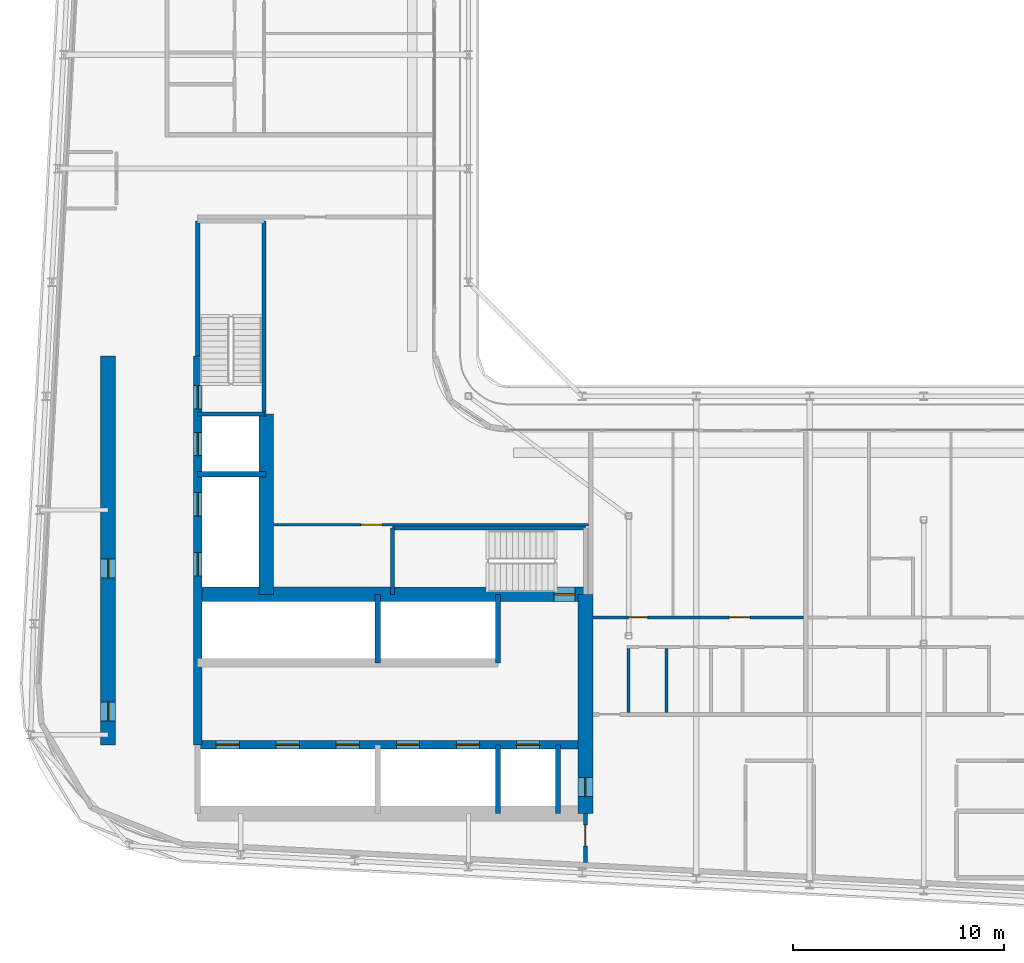
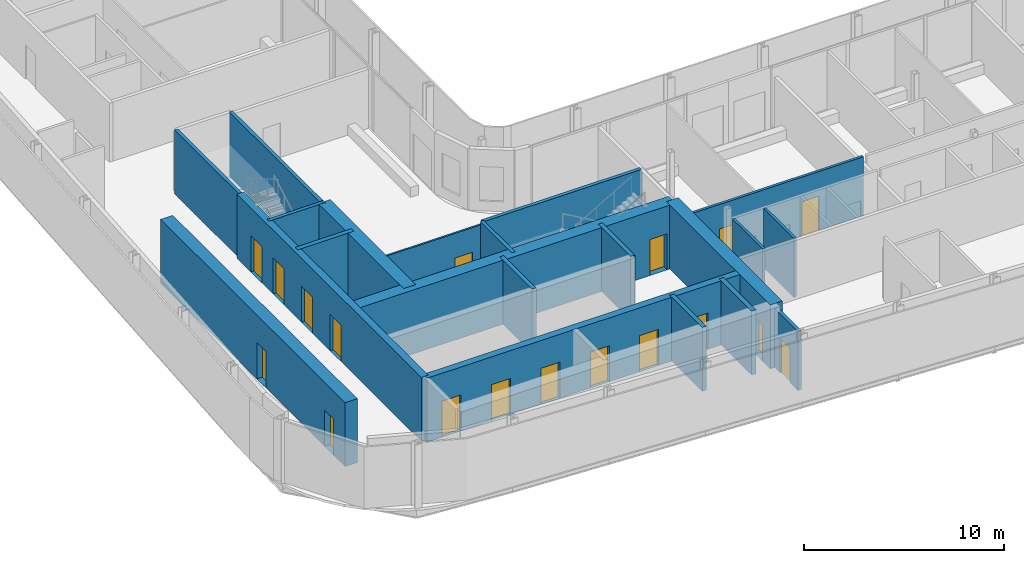
# One storey, part 10 of 22: 22 walls, 18 doors, 18 openings.
"""IFC4 building model written with IfcOpenShell, lengths in metres."""

from ifc_helpers import new_model, si_unit, direction, frame, frame_2d, origin, place, context, subcontext, project, spatial, rectangle, extrude, source, transform, mapped, material, layer, layer_set, type_object, element, fill, save


model = new_model("IFC4")

# Units and contexts
model_context = context("Model", 3, precision=1e-05, world=origin(), true_north=direction((0.0, 1.0)))
body_context = subcontext(model_context, "Body", "Model", "MODEL_VIEW")
ifc_project = project(units=[si_unit("LENGTHUNIT", "METRE"), si_unit("AREAUNIT", "SQUARE_METRE"), si_unit("VOLUMEUNIT", "CUBIC_METRE"), si_unit("PLANEANGLEUNIT", "RADIAN"), si_unit("MASSUNIT", "GRAM", prefix="KILO")], contexts=[model_context])

# Site, building, storey
site_placement = place(None, origin())
site = spatial("IfcSite", under=ifc_project, at=site_placement, CompositionType="ELEMENT")
building_placement = place(site_placement, origin())
building = spatial("IfcBuilding", under=site, at=building_placement, Name="Kheshtan School and Residences Tower", CompositionType="ELEMENT")
storey_placement = place(building_placement, frame((0.0, 0.0, 255.199951171875)))
storey = spatial("IfcBuildingStorey", under=building, at=storey_placement, Name="L60", CompositionType="ELEMENT", Elevation=255.199951171875)

# Wall, openings, doors
ifc_material_1 = material(Name="Concrete C50/60", Category="concrete")
ifc_layer_1 = layer(ifc_material_1, 0.39990234375)
ifc_layer_set_1 = layer_set([ifc_layer_1], Name="Core wall 400 Concrete C50/60")
wall_type_1 = type_object("IfcWallType", Name="Core wall 400 Concrete C50/60", PredefinedType="SHEAR", material=ifc_layer_set_1)
wall_1_placement = place(storey_placement, frame((34.75, 29.050048828125, 0.0), z_axis=(0.0, 0.0, 1.0), x_axis=(1.0, 0.0, 0.0)))
wall_1 = element("IfcWall", 1, at=wall_1_placement, inside=storey, type_object=wall_type_1, Name="Core wall CW-HALL-S1", PredefinedType="SHEAR", context=body_context, shape_type="SweptSolid", body=[
    extrude(rectangle(XDim=18.39990234375, YDim=0.39990234375, at=frame_2d((9.199951171875, 0.0))), origin(), (0.0, 0.0, 1.0), 3.900146484375),
])
opening_1_placement = place(wall_1_placement, frame((0.875, 0.0, 0.0)))
opening_1 = element("IfcOpeningElement", 2, at=opening_1_placement, cuts=wall_1, Name="Opening LD", PredefinedType="OPENING", context=body_context, shape_type="SweptSolid", body=[
    extrude(rectangle(XDim=1.10009765625, YDim=2.199951171875, at=frame_2d((0.550048828125, 1.10009765625))), frame((0.0, 0.2099609375, 0.0), z_axis=(0.0, -1.0, 0.0), x_axis=(1.0, 0.0, 0.0)), (0.0, 0.0, 1.0), 0.419921875),
])
opening_2_placement = place(wall_1_placement, frame((3.72509765625, 0.0, 0.0)))
opening_2 = element("IfcOpeningElement", 3, at=opening_2_placement, cuts=wall_1, Name="Opening LD", PredefinedType="OPENING", context=body_context, shape_type="SweptSolid", body=[
    extrude(rectangle(XDim=1.10009765625, YDim=2.199951171875, at=frame_2d((0.550048828125, 1.10009765625))), frame((0.0, 0.2099609375, 0.0), z_axis=(0.0, -1.0, 0.0), x_axis=(1.0, 0.0, 0.0)), (0.0, 0.0, 1.0), 0.419921875),
])
opening_3_placement = place(wall_1_placement, frame((6.574951171875, 0.0, 0.0)))
opening_3 = element("IfcOpeningElement", 4, at=opening_3_placement, cuts=wall_1, Name="Opening LD", PredefinedType="OPENING", context=body_context, shape_type="SweptSolid", body=[
    extrude(rectangle(XDim=1.10009765625, YDim=2.199951171875, at=frame_2d((0.550048828125, 1.10009765625))), frame((0.0, 0.2099609375, 0.0), z_axis=(0.0, -1.0, 0.0), x_axis=(1.0, 0.0, 0.0)), (0.0, 0.0, 1.0), 0.419921875),
])
opening_4_placement = place(wall_1_placement, frame((9.425048828125, 0.0, 0.0)))
opening_4 = element("IfcOpeningElement", 5, at=opening_4_placement, cuts=wall_1, Name="Opening LD", PredefinedType="OPENING", context=body_context, shape_type="SweptSolid", body=[
    extrude(rectangle(XDim=1.10009765625, YDim=2.199951171875, at=frame_2d((0.550048828125, 1.10009765625))), frame((0.0, 0.2099609375, 0.0), z_axis=(0.0, -1.0, 0.0), x_axis=(1.0, 0.0, 0.0)), (0.0, 0.0, 1.0), 0.419921875),
])
opening_5_placement = place(wall_1_placement, frame((12.27490234375, 0.0, 0.0)))
opening_5 = element("IfcOpeningElement", 6, at=opening_5_placement, cuts=wall_1, Name="Opening LD", PredefinedType="OPENING", context=body_context, shape_type="SweptSolid", body=[
    extrude(rectangle(XDim=1.10009765625, YDim=2.199951171875, at=frame_2d((0.550048828125, 1.10009765625))), frame((0.0, 0.2099609375, 0.0), z_axis=(0.0, -1.0, 0.0), x_axis=(1.0, 0.0, 0.0)), (0.0, 0.0, 1.0), 0.419921875),
])
opening_6_placement = place(wall_1_placement, frame((15.125, 0.0, 0.0)))
opening_6 = element("IfcOpeningElement", 7, at=opening_6_placement, cuts=wall_1, Name="Opening LD", PredefinedType="OPENING", context=body_context, shape_type="SweptSolid", body=[
    extrude(rectangle(XDim=1.10009765625, YDim=2.199951171875, at=frame_2d((0.550048828125, 1.10009765625))), frame((0.0, 0.2099609375, 0.0), z_axis=(0.0, -1.0, 0.0), x_axis=(1.0, 0.0, 0.0)), (0.0, 0.0, 1.0), 0.419921875),
])
ifc_material_2 = material(Name="Stainless steel door leaves", Category="steel")
door_type_1 = type_object("IfcDoorType", Name="Lift landing door 1100", OperationType="SLIDING_TO_LEFT", PredefinedType="DOOR", material=ifc_material_2)
shared_shape_1 = source(origin(), body_context, "Body", "SweptSolid", [
    extrude(rectangle(XDim=1.10009765625, YDim=2.199951171875, at=frame_2d((0.550048828125, 1.10009765625))), frame((0.0, 0.02490234375, 0.0), z_axis=(0.0, -1.0, 0.0), x_axis=(1.0, 0.0, 0.0)), (0.0, 0.0, 1.0), 0.050048828125),
])
door_1_placement = place(opening_1_placement, origin())
door_1 = element("IfcDoor", 8, at=door_1_placement, inside=storey, type_object=door_type_1, Name="Lift P7 landing door", OperationType="SLIDING_TO_LEFT", OverallHeight=2.199951171875, OverallWidth=1.10009765625, PredefinedType="DOOR", context=body_context, shape_type="MappedRepresentation", body=[
    mapped(shared_shape_1, transform((0.0, 0.0, 0.0), x_axis=(1.0, 0.0, 0.0), y_axis=(0.0, 1.0, 0.0), z_axis=(0.0, 0.0, 1.0), scale=1.0)),
])
fill(opening_1, door_1)
door_2_placement = place(opening_2_placement, origin())
door_2 = element("IfcDoor", 9, at=door_2_placement, inside=storey, type_object=door_type_1, Name="Lift P8 landing door", OperationType="SLIDING_TO_LEFT", OverallHeight=2.199951171875, OverallWidth=1.10009765625, PredefinedType="DOOR", context=body_context, shape_type="MappedRepresentation", body=[
    mapped(shared_shape_1, transform((0.0, 0.0, 0.0), x_axis=(1.0, 0.0, 0.0), y_axis=(0.0, 1.0, 0.0), z_axis=(0.0, 0.0, 1.0), scale=1.0)),
])
fill(opening_2, door_2)
door_3_placement = place(opening_3_placement, origin())
door_3 = element("IfcDoor", 10, at=door_3_placement, inside=storey, type_object=door_type_1, Name="Lift P9 landing door", OperationType="SLIDING_TO_LEFT", OverallHeight=2.199951171875, OverallWidth=1.10009765625, PredefinedType="DOOR", context=body_context, shape_type="MappedRepresentation", body=[
    mapped(shared_shape_1, transform((0.0, 0.0, 0.0), x_axis=(1.0, 0.0, 0.0), y_axis=(0.0, 1.0, 0.0), z_axis=(0.0, 0.0, 1.0), scale=1.0)),
])
fill(opening_3, door_3)
door_4_placement = place(opening_4_placement, origin())
door_4 = element("IfcDoor", 11, at=door_4_placement, inside=storey, type_object=door_type_1, Name="Lift P10 landing door", OperationType="SLIDING_TO_LEFT", OverallHeight=2.199951171875, OverallWidth=1.10009765625, PredefinedType="DOOR", context=body_context, shape_type="MappedRepresentation", body=[
    mapped(shared_shape_1, transform((0.0, 0.0, 0.0), x_axis=(1.0, 0.0, 0.0), y_axis=(0.0, 1.0, 0.0), z_axis=(0.0, 0.0, 1.0), scale=1.0)),
])
fill(opening_4, door_4)
door_5_placement = place(opening_5_placement, origin())
door_5 = element("IfcDoor", 12, at=door_5_placement, inside=storey, type_object=door_type_1, Name="Lift P11 landing door", OperationType="SLIDING_TO_LEFT", OverallHeight=2.199951171875, OverallWidth=1.10009765625, PredefinedType="DOOR", context=body_context, shape_type="MappedRepresentation", body=[
    mapped(shared_shape_1, transform((0.0, 0.0, 0.0), x_axis=(1.0, 0.0, 0.0), y_axis=(0.0, 1.0, 0.0), z_axis=(0.0, 0.0, 1.0), scale=1.0)),
])
fill(opening_5, door_5)
door_6_placement = place(opening_6_placement, origin())
door_6 = element("IfcDoor", 13, at=door_6_placement, inside=storey, type_object=door_type_1, Name="Lift FFL2 landing door", OperationType="SLIDING_TO_LEFT", OverallHeight=2.199951171875, OverallWidth=1.10009765625, PredefinedType="DOOR", context=body_context, shape_type="MappedRepresentation", body=[
    mapped(shared_shape_1, transform((0.0, 0.0, 0.0), x_axis=(1.0, 0.0, 0.0), y_axis=(0.0, 1.0, 0.0), z_axis=(0.0, 0.0, 1.0), scale=1.0)),
])
fill(opening_6, door_6)

wall_2_placement = place(storey_placement, frame((34.75, 29.050048828125, 0.0), z_axis=(0.0, 0.0, 1.0), x_axis=(0.0, 1.0, 0.0)))
wall_2 = element("IfcWall", 14, at=wall_2_placement, inside=storey, type_object=wall_type_1, Name="Core wall CW-HALL-W1", PredefinedType="SHEAR", context=body_context, shape_type="SweptSolid", body=[
    extrude(rectangle(XDim=18.449951171875, YDim=0.39990234375, at=frame_2d((9.22509765625, 0.0))), origin(), (0.0, 0.0, 1.0), 3.900146484375),
])
opening_7_placement = place(wall_2_placement, frame((8.02490234375, 0.0, 0.0)))
opening_7 = element("IfcOpeningElement", 15, at=opening_7_placement, cuts=wall_2, Name="Opening LD", PredefinedType="OPENING", context=body_context, shape_type="SweptSolid", body=[
    extrude(rectangle(XDim=1.10009765625, YDim=2.199951171875, at=frame_2d((0.550048828125, 1.10009765625))), frame((0.0, 0.2099609375, 0.0), z_axis=(0.0, -1.0, 0.0), x_axis=(1.0, 0.0, 0.0)), (0.0, 0.0, 1.0), 0.419921875),
])
opening_8_placement = place(wall_2_placement, frame((10.875, 0.0, 0.0)))
opening_8 = element("IfcOpeningElement", 16, at=opening_8_placement, cuts=wall_2, Name="Opening LD", PredefinedType="OPENING", context=body_context, shape_type="SweptSolid", body=[
    extrude(rectangle(XDim=1.10009765625, YDim=2.199951171875, at=frame_2d((0.550048828125, 1.10009765625))), frame((0.0, 0.2099609375, 0.0), z_axis=(0.0, -1.0, 0.0), x_axis=(1.0, 0.0, 0.0)), (0.0, 0.0, 1.0), 0.419921875),
])
opening_9_placement = place(wall_2_placement, frame((13.72509765625, 0.0, 0.0)))
opening_9 = element("IfcOpeningElement", 17, at=opening_9_placement, cuts=wall_2, Name="Opening LD", PredefinedType="OPENING", context=body_context, shape_type="SweptSolid", body=[
    extrude(rectangle(XDim=1.10009765625, YDim=2.199951171875, at=frame_2d((0.550048828125, 1.10009765625))), frame((0.0, 0.2099609375, 0.0), z_axis=(0.0, -1.0, 0.0), x_axis=(1.0, 0.0, 0.0)), (0.0, 0.0, 1.0), 0.419921875),
])
opening_10_placement = place(wall_2_placement, frame((15.949951171875, 0.0, 0.0)))
opening_10 = element("IfcOpeningElement", 18, at=opening_10_placement, cuts=wall_2, Name="Opening ST2D", PredefinedType="OPENING", context=body_context, shape_type="SweptSolid", body=[
    extrude(rectangle(XDim=1.10009765625, YDim=2.199951171875, at=frame_2d((0.550048828125, 1.10009765625))), frame((0.0, 0.2099609375, 0.0), z_axis=(0.0, -1.0, 0.0), x_axis=(1.0, 0.0, 0.0)), (0.0, 0.0, 1.0), 0.419921875),
])
door_7_placement = place(opening_7_placement, origin())
door_7 = element("IfcDoor", 19, at=door_7_placement, inside=storey, type_object=door_type_1, Name="Lift SV1 landing door", OperationType="SLIDING_TO_LEFT", OverallHeight=2.199951171875, OverallWidth=1.10009765625, PredefinedType="DOOR", context=body_context, shape_type="MappedRepresentation", body=[
    mapped(shared_shape_1, transform((0.0, 0.0, 0.0), x_axis=(1.0, 0.0, 0.0), y_axis=(0.0, 1.0, 0.0), z_axis=(0.0, 0.0, 1.0), scale=1.0)),
])
fill(opening_7, door_7)
door_8_placement = place(opening_8_placement, origin())
door_8 = element("IfcDoor", 20, at=door_8_placement, inside=storey, type_object=door_type_1, Name="Lift SV2 landing door", OperationType="SLIDING_TO_LEFT", OverallHeight=2.199951171875, OverallWidth=1.10009765625, PredefinedType="DOOR", context=body_context, shape_type="MappedRepresentation", body=[
    mapped(shared_shape_1, transform((0.0, 0.0, 0.0), x_axis=(1.0, 0.0, 0.0), y_axis=(0.0, 1.0, 0.0), z_axis=(0.0, 0.0, 1.0), scale=1.0)),
])
fill(opening_8, door_8)
door_9_placement = place(opening_9_placement, origin())
door_9 = element("IfcDoor", 21, at=door_9_placement, inside=storey, type_object=door_type_1, Name="Lift FFL1 landing door", OperationType="SLIDING_TO_LEFT", OverallHeight=2.199951171875, OverallWidth=1.10009765625, PredefinedType="DOOR", context=body_context, shape_type="MappedRepresentation", body=[
    mapped(shared_shape_1, transform((0.0, 0.0, 0.0), x_axis=(1.0, 0.0, 0.0), y_axis=(0.0, 1.0, 0.0), z_axis=(0.0, 0.0, 1.0), scale=1.0)),
])
fill(opening_9, door_9)
ifc_material_3 = material(Name="Steel door leaf, galvanised", Category="steel")
door_type_2 = type_object("IfcDoorType", Name="Stair door 1100 steel 90 min", OperationType="SINGLE_SWING_LEFT", PredefinedType="DOOR", material=ifc_material_3)
shared_shape_2 = source(origin(), body_context, "Body", "SweptSolid", [
    extrude(rectangle(XDim=1.10009765625, YDim=2.199951171875, at=frame_2d((0.550048828125, 1.10009765625))), frame((0.0, 0.02490234375, 0.0), z_axis=(0.0, -1.0, 0.0), x_axis=(1.0, 0.0, 0.0)), (0.0, 0.0, 1.0), 0.050048828125),
])
door_10_placement = place(opening_10_placement, origin())
door_10 = element("IfcDoor", 22, at=door_10_placement, inside=storey, type_object=door_type_2, Name="Stair ST2 door", OperationType="SINGLE_SWING_RIGHT", OverallHeight=2.199951171875, OverallWidth=1.10009765625, PredefinedType="DOOR", context=body_context, shape_type="MappedRepresentation", body=[
    mapped(shared_shape_2, transform((0.0, 0.0, 0.0), x_axis=(1.0, 0.0, 0.0), y_axis=(0.0, 1.0, 0.0), z_axis=(0.0, 0.0, 1.0), scale=1.0)),
])
fill(opening_10, door_10)

# Wall, opening, door
ifc_material_4 = material(Name="Concrete C70/85", Category="concrete")
ifc_layer_2 = layer(ifc_material_4, 0.699951171875)
ifc_layer_set_2 = layer_set([ifc_layer_2], Name="Core wall 700 Concrete C70/85")
wall_type_2 = type_object("IfcWallType", Name="Core wall 700 Concrete C70/85", PredefinedType="SHEAR", material=ifc_layer_set_2)
wall_3_placement = place(storey_placement, frame((34.75, 36.199951171875, 0.0), z_axis=(0.0, 0.0, 1.0), x_axis=(1.0, 0.0, 0.0)))
wall_3 = element("IfcWall", 23, at=wall_3_placement, inside=storey, type_object=wall_type_2, Name="Core wall CW-FRONT-S", PredefinedType="SHEAR", context=body_context, shape_type="SweptSolid", body=[
    extrude(rectangle(XDim=18.39990234375, YDim=0.699951171875, at=frame_2d((9.199951171875, 0.0))), origin(), (0.0, 0.0, 1.0), 3.900146484375),
])
opening_11_placement = place(wall_3_placement, frame((16.89990234375, 0.0, 0.0)))
opening_11 = element("IfcOpeningElement", 24, at=opening_11_placement, cuts=wall_3, Name="Opening ST1D", PredefinedType="OPENING", context=body_context, shape_type="SweptSolid", body=[
    extrude(rectangle(XDim=1.0, YDim=2.199951171875, at=frame_2d((0.5, 1.10009765625))), frame((0.0, 0.35986328125, 0.0), z_axis=(0.0, -1.0, 0.0), x_axis=(1.0, 0.0, 0.0)), (0.0, 0.0, 1.0), 0.719970703125),
])
shared_shape_3 = source(origin(), body_context, "Body", "SweptSolid", [
    extrude(rectangle(XDim=1.0, YDim=2.199951171875, at=frame_2d((0.5, 1.10009765625))), frame((0.0, 0.02490234375, 0.0), z_axis=(0.0, -1.0, 0.0), x_axis=(1.0, 0.0, 0.0)), (0.0, 0.0, 1.0), 0.050048828125),
])
door_11_placement = place(opening_11_placement, origin())
door_11 = element("IfcDoor", 25, at=door_11_placement, inside=storey, type_object=door_type_2, Name="Stair ST1 door", OperationType="SINGLE_SWING_RIGHT", OverallHeight=2.199951171875, OverallWidth=1.0, PredefinedType="DOOR", context=body_context, shape_type="MappedRepresentation", body=[
    mapped(shared_shape_3, transform((0.0, 0.0, 0.0), x_axis=(1.0, 0.0, 0.0), y_axis=(0.0, 1.0, 0.0), z_axis=(0.0, 0.0, 1.0), scale=1.0)),
])
fill(opening_11, door_11)

# Wall
wall_4_placement = place(storey_placement, frame((38.0, 36.199951171875, 0.0), z_axis=(0.0, 0.0, 1.0), x_axis=(0.0, 1.0, 0.0)))
element("IfcWall", 26, at=wall_4_placement, inside=storey, type_object=wall_type_2, Name="Core wall CW-FRONT-W", PredefinedType="SHEAR", context=body_context, shape_type="SweptSolid", body=[
    extrude(rectangle(XDim=8.550048828125, YDim=0.699951171875, at=frame_2d((4.27490234375, 0.0))), origin(), (0.0, 0.0, 1.0), 3.900146484375),
])

# Wall, openings, doors
wall_5_placement = place(storey_placement, frame((30.5, 29.050048828125, 0.0), z_axis=(0.0, 0.0, 1.0), x_axis=(0.0, 1.0, 0.0)))
wall_5 = element("IfcWall", 27, at=wall_5_placement, inside=storey, type_object=wall_type_2, Name="Core wall CW-REAR-W", PredefinedType="SHEAR", context=body_context, shape_type="SweptSolid", body=[
    extrude(rectangle(XDim=18.449951171875, YDim=0.699951171875, at=frame_2d((9.22509765625, 0.0))), origin(), (0.0, 0.0, 1.0), 3.900146484375),
])
opening_12_placement = place(wall_5_placement, frame((1.14697265625, 0.0, 0.0)))
opening_12 = element("IfcOpeningElement", 28, at=opening_12_placement, cuts=wall_5, Name="Opening SR90", PredefinedType="OPENING", context=body_context, shape_type="SweptSolid", body=[
    extrude(rectangle(XDim=0.89990234375, YDim=2.199951171875, at=frame_2d((0.449951171875, 1.10009765625))), frame((0.0, 0.35986328125, 0.0), z_axis=(0.0, -1.0, 0.0), x_axis=(1.0, 0.0, 0.0)), (0.0, 0.0, 1.0), 0.719970703125),
])
opening_13_placement = place(wall_5_placement, frame((7.925048828125, 0.0, 0.0)))
opening_13 = element("IfcOpeningElement", 29, at=opening_13_placement, cuts=wall_5, Name="Opening SR90", PredefinedType="OPENING", context=body_context, shape_type="SweptSolid", body=[
    extrude(rectangle(XDim=0.89990234375, YDim=2.199951171875, at=frame_2d((0.449951171875, 1.10009765625))), frame((0.0, 0.35986328125, 0.0), z_axis=(0.0, -1.0, 0.0), x_axis=(1.0, 0.0, 0.0)), (0.0, 0.0, 1.0), 0.719970703125),
])
door_type_3 = type_object("IfcDoorType", Name="Service room door 900 steel 90 min", OperationType="SINGLE_SWING_LEFT", PredefinedType="DOOR", material=ifc_material_3)
shared_shape_4 = source(origin(), body_context, "Body", "SweptSolid", [
    extrude(rectangle(XDim=0.89990234375, YDim=2.199951171875, at=frame_2d((0.449951171875, 1.10009765625))), frame((0.0, 0.02490234375, 0.0), z_axis=(0.0, -1.0, 0.0), x_axis=(1.0, 0.0, 0.0)), (0.0, 0.0, 1.0), 0.050048828125),
])
door_12_placement = place(opening_12_placement, origin())
door_12 = element("IfcDoor", 30, at=door_12_placement, inside=storey, type_object=door_type_3, Name="Service room door", OperationType="SINGLE_SWING_LEFT", OverallHeight=2.199951171875, OverallWidth=0.89990234375, PredefinedType="DOOR", context=body_context, shape_type="MappedRepresentation", body=[
    mapped(shared_shape_4, transform((0.0, 0.0, 0.0), x_axis=(1.0, 0.0, 0.0), y_axis=(0.0, 1.0, 0.0), z_axis=(0.0, 0.0, 1.0), scale=1.0)),
])
fill(opening_12, door_12)
door_13_placement = place(opening_13_placement, origin())
door_13 = element("IfcDoor", 31, at=door_13_placement, inside=storey, type_object=door_type_3, Name="Service room door", OperationType="SINGLE_SWING_LEFT", OverallHeight=2.199951171875, OverallWidth=0.89990234375, PredefinedType="DOOR", context=body_context, shape_type="MappedRepresentation", body=[
    mapped(shared_shape_4, transform((0.0, 0.0, 0.0), x_axis=(1.0, 0.0, 0.0), y_axis=(0.0, 1.0, 0.0), z_axis=(0.0, 0.0, 1.0), scale=1.0)),
])
fill(opening_13, door_13)

# Wall, opening, door
wall_6_placement = place(storey_placement, frame((53.14990234375, 25.800048828125, 0.0), z_axis=(0.0, 0.0, 1.0), x_axis=(0.0, 1.0, 0.0)))
wall_6 = element("IfcWall", 32, at=wall_6_placement, inside=storey, type_object=wall_type_2, Name="Core wall CW-EAST", PredefinedType="SHEAR", context=body_context, shape_type="SweptSolid", body=[
    extrude(rectangle(XDim=10.39990234375, YDim=0.699951171875, at=frame_2d((5.199951171875, 0.0))), origin(), (0.0, 0.0, 1.0), 3.900146484375),
])
opening_14_placement = place(wall_6_placement, frame((0.800048828125, 0.0, 0.0)))
opening_14 = element("IfcOpeningElement", 33, at=opening_14_placement, cuts=wall_6, Name="Opening SR90", PredefinedType="OPENING", context=body_context, shape_type="SweptSolid", body=[
    extrude(rectangle(XDim=0.89990234375, YDim=2.199951171875, at=frame_2d((0.449951171875, 1.10009765625))), frame((0.0, 0.35986328125, 0.0), z_axis=(0.0, -1.0, 0.0), x_axis=(1.0, 0.0, 0.0)), (0.0, 0.0, 1.0), 0.719970703125),
])
door_14_placement = place(opening_14_placement, origin())
door_14 = element("IfcDoor", 34, at=door_14_placement, inside=storey, type_object=door_type_3, Name="Service room door", OperationType="SINGLE_SWING_LEFT", OverallHeight=2.199951171875, OverallWidth=0.89990234375, PredefinedType="DOOR", context=body_context, shape_type="MappedRepresentation", body=[
    mapped(shared_shape_4, transform((0.0, 0.0, 0.0), x_axis=(1.0, 0.0, 0.0), y_axis=(0.0, 1.0, 0.0), z_axis=(0.0, 0.0, 1.0), scale=1.0)),
])
fill(opening_14, door_14)

ifc_material_5 = material(Name="Gypsum board on steel studs with fire boards", Category="steel")
ifc_layer_3 = layer(ifc_material_5, 0.199951171875)
ifc_layer_set_3 = layer_set([ifc_layer_3], Name="Corridor wall 200")
wall_type_3 = type_object("IfcWallType", Name="Corridor wall 200", PredefinedType="PARTITIONING", material=ifc_layer_set_3)
wall_7_placement = place(storey_placement, frame((53.14990234375, 23.472412109375, 0.0), z_axis=(0.0, 0.0, 1.0), x_axis=(0.0, 1.0, 0.0)))
wall_7 = element("IfcWall", 35, at=wall_7_placement, inside=storey, type_object=wall_type_3, Name="Partition L60-029", PredefinedType="PARTITIONING", context=body_context, shape_type="SweptSolid", body=[
    extrude(rectangle(XDim=2.32763671875, YDim=0.199951171875, at=frame_2d((1.163818359375, 0.0))), origin(), (0.0, 0.0, 1.0), 3.60009765625),
])
opening_15_placement = place(wall_7_placement, frame((0.784912109375, 0.0, 0.0)))
opening_15 = element("IfcOpeningElement", 36, at=opening_15_placement, cuts=wall_7, Name="Opening D58-040", PredefinedType="OPENING", context=body_context, shape_type="SweptSolid", body=[
    extrude(rectangle(XDim=1.0, YDim=2.10009765625, at=frame_2d((0.5, 1.050048828125))), frame((0.0, 0.10986328125, 0.0), z_axis=(0.0, -1.0, 0.0), x_axis=(1.0, 0.0, 0.0)), (0.0, 0.0, 1.0), 0.219970703125),
])
ifc_material_6 = material(Name="Steel-framed fire-resisting door leaf", Category="steel")
door_type_4 = type_object("IfcDoorType", Name="Fire door FD60 1000 x 2100", OperationType="SINGLE_SWING_LEFT", PredefinedType="DOOR", material=ifc_material_6)
shared_shape_5 = source(origin(), body_context, "Body", "SweptSolid", [
    extrude(rectangle(XDim=1.0, YDim=2.10009765625, at=frame_2d((0.5, 1.050048828125))), frame((0.0, 0.02490234375, 0.0), z_axis=(0.0, -1.0, 0.0), x_axis=(1.0, 0.0, 0.0)), (0.0, 0.0, 1.0), 0.050048828125),
])
door_15_placement = place(opening_15_placement, origin())
door_15 = element("IfcDoor", 37, at=door_15_placement, inside=storey, type_object=door_type_4, Name="Door D58-040", OperationType="SINGLE_SWING_RIGHT", OverallHeight=2.10009765625, OverallWidth=1.0, PredefinedType="DOOR", context=body_context, shape_type="MappedRepresentation", body=[
    mapped(shared_shape_5, transform((0.0, 0.0, 0.0), x_axis=(1.0, 0.0, 0.0), y_axis=(0.0, 1.0, 0.0), z_axis=(0.0, 0.0, 1.0), scale=1.0)),
])
fill(opening_15, door_15)

ifc_material_7 = material(Name="Gypsum board on steel studs", Category="steel")
ifc_layer_4 = layer(ifc_material_7, 0.10009765625)
ifc_layer_set_4 = layer_set([ifc_layer_4], Name="Gypsum partition 100")
wall_type_4 = type_object("IfcWallType", Name="Gypsum partition 100", PredefinedType="PARTITIONING", material=ifc_layer_set_4)
wall_8_placement = place(storey_placement, frame((38.34912109375, 39.5, 0.0), z_axis=(0.0, 0.0, 1.0), x_axis=(1.0, 0.0, 0.0)))
wall_8 = element("IfcWall", 38, at=wall_8_placement, inside=storey, type_object=wall_type_4, Name="Partition L60-028", PredefinedType="PARTITIONING", context=body_context, shape_type="SweptSolid", body=[
    extrude(rectangle(XDim=14.950927734375, YDim=0.10009765625, at=frame_2d((7.4755859375, 0.0))), origin(), (0.0, 0.0, 1.0), 3.60009765625),
])
opening_16_placement = place(wall_8_placement, frame((4.14697265625, 0.0, 0.0)))
opening_16 = element("IfcOpeningElement", 39, at=opening_16_placement, cuts=wall_8, Name="Opening D58-041", PredefinedType="OPENING", context=body_context, shape_type="SweptSolid", body=[
    extrude(rectangle(XDim=1.0, YDim=2.10009765625, at=frame_2d((0.5, 1.050048828125))), frame((0.0, 0.06005859375, 0.0), z_axis=(0.0, -1.0, 0.0), x_axis=(1.0, 0.0, 0.0)), (0.0, 0.0, 1.0), 0.1201171875),
])
ifc_material_8 = material(Name="Veneered timber door leaf", Category="wood")
door_type_5 = type_object("IfcDoorType", Name="Door 1000 x 2100", OperationType="SINGLE_SWING_LEFT", PredefinedType="DOOR", material=ifc_material_8)
shared_shape_6 = source(origin(), body_context, "Body", "SweptSolid", [
    extrude(rectangle(XDim=1.0, YDim=2.10009765625, at=frame_2d((0.5, 1.050048828125))), frame((0.0, 0.02490234375, 0.0), z_axis=(0.0, -1.0, 0.0), x_axis=(1.0, 0.0, 0.0)), (0.0, 0.0, 1.0), 0.050048828125),
])
door_16_placement = place(opening_16_placement, origin())
door_16 = element("IfcDoor", 40, at=door_16_placement, inside=storey, type_object=door_type_5, Name="Door D58-041", OperationType="SINGLE_SWING_LEFT", OverallHeight=2.10009765625, OverallWidth=1.0, PredefinedType="DOOR", context=body_context, shape_type="MappedRepresentation", body=[
    mapped(shared_shape_6, transform((0.0, 0.0, 0.0), x_axis=(1.0, 0.0, 0.0), y_axis=(0.0, 1.0, 0.0), z_axis=(0.0, 0.0, 1.0), scale=1.0)),
])
fill(opening_16, door_16)

# Walls
ifc_material_9 = material(Name="Fire-board shaft wall system")
ifc_layer_5 = layer(ifc_material_9, 0.25)
ifc_layer_set_5 = layer_set([ifc_layer_5], Name="Shaft lining wall 250")
wall_type_5 = type_object("IfcWallType", Name="Shaft lining wall 250", PredefinedType="PARTITIONING", material=ifc_layer_set_5)
for number, where, z_axis, x_axis, name in (
    (41, (43.300048828125, 32.949951171875, 0.0), (0.0, 0.0, 1.0), (0.0, 1.0, 0.0), "Shaft lining wall"),
    (42, (49.0, 25.800048828125, 0.0), (0.0, 0.0, 1.0), (0.0, 1.0, 0.0), "Shaft lining wall"),
    (43, (49.0, 32.949951171875, 0.0), (0.0, 0.0, 1.0), (0.0, 1.0, 0.0), "Shaft lining wall"),
    (44, (51.85009765625, 25.800048828125, 0.0), (0.0, 0.0, 1.0), (0.0, 1.0, 0.0), "Shaft lining wall"),
    (45, (34.75, 41.89990234375, 0.0), (0.0, 0.0, 1.0), (1.0, 0.0, 0.0), "Shaft lining wall"),
):
    element("IfcWall", number, at=place(storey_placement, frame(where, z_axis=z_axis, x_axis=x_axis)), inside=storey, type_object=wall_type_5, Name=name, PredefinedType="PARTITIONING", context=body_context, shape_type="SweptSolid", body=[
        extrude(rectangle(XDim=3.25, YDim=0.25, at=frame_2d((1.625, 0.0))), origin(), (0.0, 0.0, 1.0), 3.900146484375),
    ])
wall_9_placement = place(storey_placement, frame((37.89990234375, 44.75, 0.0), z_axis=(0.0, 0.0, 1.0), x_axis=(1.0, 0.0, 0.0)))
element("IfcWall", 46, at=wall_9_placement, inside=storey, type_object=wall_type_5, Name="Shaft lining wall", PredefinedType="PARTITIONING", context=body_context, shape_type="SweptSolid", body=[
    extrude(rectangle(XDim=0.10009765625, YDim=0.25, at=frame_2d((0.050048828125, 0.0))), origin(), (0.0, 0.0, 1.0), 3.900146484375),
])
ifc_material_10 = material(Name="Concrete C40/50", Category="concrete")
ifc_layer_6 = layer(ifc_material_10, 0.199951171875)
ifc_layer_set_6 = layer_set([ifc_layer_6], Name="Stair enclosure wall 200 Concrete C40/50")
wall_type_6 = type_object("IfcWallType", Name="Stair enclosure wall 200 Concrete C40/50", PredefinedType="SHEAR", material=ifc_layer_set_6)
wall_10_placement = place(storey_placement, frame((43.989990234375, 39.35009765625, 0.0), z_axis=(0.0, 0.0, 1.0), x_axis=(1.0, 0.0, 0.0)))
element("IfcWall", 47, at=wall_10_placement, inside=storey, type_object=wall_type_6, Name="Stair enclosure wall ST1", PredefinedType="SHEAR", context=body_context, shape_type="SweptSolid", body=[
    extrude(rectangle(XDim=9.159912109375, YDim=0.199951171875, at=frame_2d((4.580078125, 0.0))), origin(), (0.0, 0.0, 1.0), 3.900146484375),
])
wall_11_placement = place(storey_placement, frame((43.989990234375, 36.199951171875, 0.0), z_axis=(0.0, 0.0, 1.0), x_axis=(0.0, 1.0, 0.0)))
element("IfcWall", 48, at=wall_11_placement, inside=storey, type_object=wall_type_6, Name="Stair enclosure wall ST1", PredefinedType="SHEAR", context=body_context, shape_type="SweptSolid", body=[
    extrude(rectangle(XDim=3.150146484375, YDim=0.199951171875, at=frame_2d((1.5751953125, 0.0))), origin(), (0.0, 0.0, 1.0), 3.900146484375),
])
wall_12_placement = place(storey_placement, frame((34.75, 44.75, 0.0), z_axis=(0.0, 0.0, 1.0), x_axis=(1.0, 0.0, 0.0)))
element("IfcWall", 49, at=wall_12_placement, inside=storey, type_object=wall_type_6, Name="Stair enclosure wall ST2", PredefinedType="SHEAR", context=body_context, shape_type="SweptSolid", body=[
    extrude(rectangle(XDim=3.14990234375, YDim=0.199951171875, at=frame_2d((1.574951171875, 0.0))), origin(), (0.0, 0.0, 1.0), 3.900146484375),
])
wall_13_placement = place(storey_placement, frame((34.75, 47.5, 0.0), z_axis=(0.0, 0.0, 1.0), x_axis=(0.0, 1.0, 0.0)))
element("IfcWall", 50, at=wall_13_placement, inside=storey, type_object=wall_type_6, Name="Stair enclosure wall ST2", PredefinedType="SHEAR", context=body_context, shape_type="SweptSolid", body=[
    extrude(rectangle(XDim=6.409912109375, YDim=0.199951171875, at=frame_2d((3.205078125, 0.0))), origin(), (0.0, 0.0, 1.0), 3.900146484375),
])
wall_14_placement = place(storey_placement, frame((37.89990234375, 44.75, 0.0), z_axis=(0.0, 0.0, 1.0), x_axis=(0.0, 1.0, 0.0)))
element("IfcWall", 51, at=wall_14_placement, inside=storey, type_object=wall_type_6, Name="Stair enclosure wall ST2", PredefinedType="SHEAR", context=body_context, shape_type="SweptSolid", body=[
    extrude(rectangle(XDim=9.159912109375, YDim=0.199951171875, at=frame_2d((4.580078125, 0.0))), origin(), (0.0, 0.0, 1.0), 3.900146484375),
])

# Wall, openings, doors
ifc_material_11 = material(Name="Moisture-resistant gypsum board on steel studs", Category="steel")
ifc_layer_7 = layer(ifc_material_11, 0.14990234375)
ifc_layer_set_7 = layer_set([ifc_layer_7], Name="Wet-room partition 150")
wall_type_7 = type_object("IfcWallType", Name="Wet-room partition 150", PredefinedType="PARTITIONING", material=ifc_layer_set_7)
wall_15_placement = place(storey_placement, frame((53.4990234375, 35.10009765625, 0.0), z_axis=(0.0, 0.0, 1.0), x_axis=(1.0, 0.0, 0.0)))
wall_15 = element("IfcWall", 52, at=wall_15_placement, inside=storey, type_object=wall_type_7, Name="Partition L60-032", PredefinedType="PARTITIONING", context=body_context, shape_type="SweptSolid", body=[
    extrude(rectangle(XDim=10.0009765625, YDim=0.14990234375, at=frame_2d((5.00048828125, 0.0))), origin(), (0.0, 0.0, 1.0), 3.60009765625),
])
opening_17_placement = place(wall_15_placement, frame((1.700927734375, 0.0, 0.0)))
opening_17 = element("IfcOpeningElement", 53, at=opening_17_placement, cuts=wall_15, Name="Opening D58-002", PredefinedType="OPENING", context=body_context, shape_type="SweptSolid", body=[
    extrude(rectangle(XDim=0.89990234375, YDim=2.10009765625, at=frame_2d((0.449951171875, 1.050048828125))), frame((0.0, 0.0849609375, 0.0), z_axis=(0.0, -1.0, 0.0), x_axis=(1.0, 0.0, 0.0)), (0.0, 0.0, 1.0), 0.169921875),
])
opening_18_placement = place(wall_15_placement, frame((6.450927734375, 0.0, 0.0)))
opening_18 = element("IfcOpeningElement", 54, at=opening_18_placement, cuts=wall_15, Name="Opening D58-006", PredefinedType="OPENING", context=body_context, shape_type="SweptSolid", body=[
    extrude(rectangle(XDim=1.0, YDim=2.10009765625, at=frame_2d((0.5, 1.050048828125))), frame((0.0, 0.0849609375, 0.0), z_axis=(0.0, -1.0, 0.0), x_axis=(1.0, 0.0, 0.0)), (0.0, 0.0, 1.0), 0.169921875),
])
door_17_placement = place(opening_18_placement, origin())
door_17 = element("IfcDoor", 55, at=door_17_placement, inside=storey, type_object=door_type_5, Name="Door D58-006", OperationType="SINGLE_SWING_RIGHT", OverallHeight=2.10009765625, OverallWidth=1.0, PredefinedType="DOOR", context=body_context, shape_type="MappedRepresentation", body=[
    mapped(shared_shape_6, transform((0.0, 0.0, 0.0), x_axis=(1.0, 0.0, 0.0), y_axis=(0.0, 1.0, 0.0), z_axis=(0.0, 0.0, 1.0), scale=1.0)),
])
fill(opening_18, door_17)
door_type_6 = type_object("IfcDoorType", Name="Door 900 x 2100", OperationType="SINGLE_SWING_LEFT", PredefinedType="DOOR", material=ifc_material_8)
shared_shape_7 = source(origin(), body_context, "Body", "SweptSolid", [
    extrude(rectangle(XDim=0.89990234375, YDim=2.10009765625, at=frame_2d((0.449951171875, 1.050048828125))), frame((0.0, 0.02490234375, 0.0), z_axis=(0.0, -1.0, 0.0), x_axis=(1.0, 0.0, 0.0)), (0.0, 0.0, 1.0), 0.050048828125),
])
door_18_placement = place(opening_17_placement, origin())
door_18 = element("IfcDoor", 56, at=door_18_placement, inside=storey, type_object=door_type_6, Name="Door D58-002", OperationType="SINGLE_SWING_RIGHT", OverallHeight=2.10009765625, OverallWidth=0.89990234375, PredefinedType="DOOR", context=body_context, shape_type="MappedRepresentation", body=[
    mapped(shared_shape_7, transform((0.0, 0.0, 0.0), x_axis=(1.0, 0.0, 0.0), y_axis=(0.0, 1.0, 0.0), z_axis=(0.0, 0.0, 1.0), scale=1.0)),
])
fill(opening_17, door_18)

# Walls
for number, where, z_axis, x_axis, name in (
    (57, (55.199951171875, 30.60009765625, 0.0), (0.0, 0.0, 1.0), (0.0, 1.0, 0.0), "Partition L60-034"),
    (58, (57.0, 30.60009765625, 0.0), (0.0, 0.0, 1.0), (0.0, 1.0, 0.0), "Partition L60-035"),
):
    element("IfcWall", number, at=place(storey_placement, frame(where, z_axis=z_axis, x_axis=x_axis)), inside=storey, type_object=wall_type_7, Name=name, PredefinedType="PARTITIONING", context=body_context, shape_type="SweptSolid", body=[
        extrude(rectangle(XDim=3.02490234375, YDim=0.14990234375, at=frame_2d((1.512451171875, 0.0))), origin(), (0.0, 0.0, 1.0), 3.60009765625),
    ])

save(model, "model.ifc")
